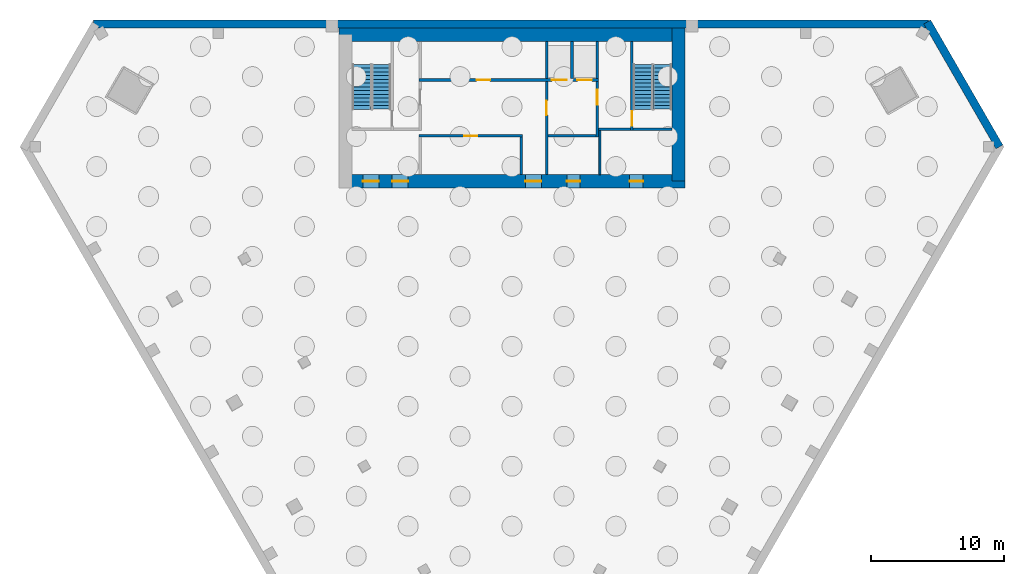
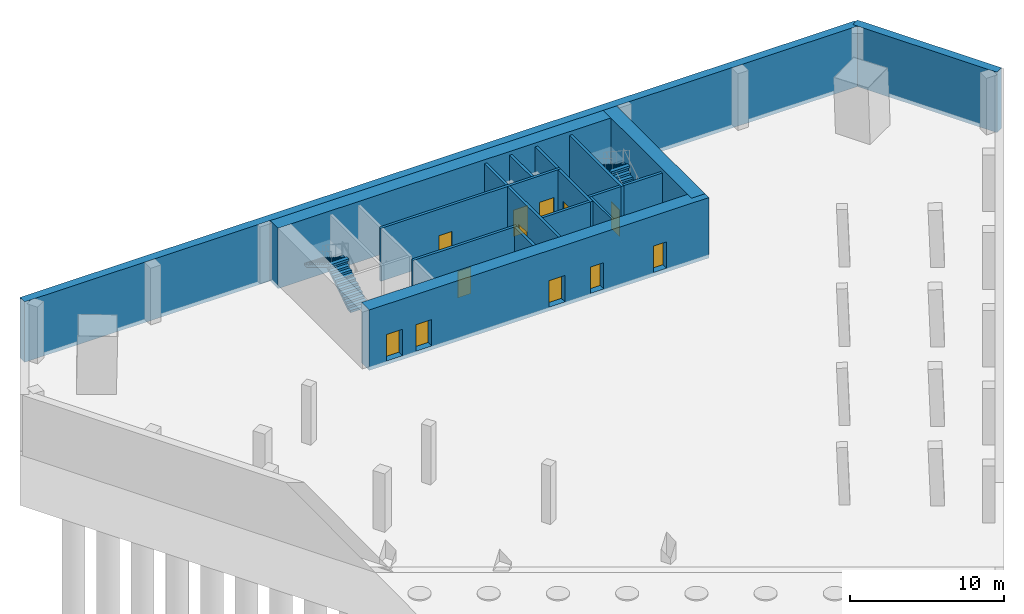
# One storey, part 3 of 5: 18 walls, 12 doors, 4 stair flights, 12 openings, 2 elements without a shape of their own.
"""IFC4 building model written with IfcOpenShell, lengths in metres."""

from ifc_helpers import new_model, si_unit, direction, frame, frame_2d, origin, place, context, subcontext, project, spatial, polyline, rectangle, outline, extrude, material, layer, layer_set, type_object, element, fill, aggregate, save


model = new_model("IFC4")

# Units and contexts
model_context = context("Model", 3, precision=1e-05, world=origin(), true_north=direction((0.0, 1.0)))
body_context = subcontext(model_context, "Body", "Model", "MODEL_VIEW")
ifc_project = project(units=[si_unit("LENGTHUNIT", "METRE"), si_unit("AREAUNIT", "SQUARE_METRE"), si_unit("VOLUMEUNIT", "CUBIC_METRE"), si_unit("PLANEANGLEUNIT", "RADIAN"), si_unit("MASSUNIT", "GRAM", prefix="KILO")], contexts=[model_context])

# Site, building, storey
site_placement = place(None, origin())
site = spatial("IfcSite", under=ifc_project, at=site_placement, CompositionType="ELEMENT")
building_placement = place(site_placement, origin())
building = spatial("IfcBuilding", under=site, at=building_placement, Name="Altiplano Prism Tower", CompositionType="ELEMENT")
storey_placement = place(building_placement, frame((0.0, 0.0, -9.0)))
storey = spatial("IfcBuildingStorey", under=building, at=storey_placement, Name="B2", CompositionType="ELEMENT", Elevation=-9.0)

# Wall, openings, doors
ifc_material_1 = material(Name="Concrete C70/85", Category="concrete")
ifc_layer_1 = layer(ifc_material_1, 1.0)
ifc_layer_set_1 = layer_set([ifc_layer_1], Name="Concrete C70/85")
wall_type_1 = type_object("IfcWallType", Name="Core wall 1000", PredefinedType="SHEAR", material=ifc_layer_set_1)
wall_1_placement = place(storey_placement, frame((72.5, 92.89990234375, -0.300048828125), z_axis=(0.0, 0.0, 1.0), x_axis=(1.0, 0.0, 0.0)))
wall_1 = element("IfcWall", 1, at=wall_1_placement, inside=storey, type_object=wall_type_1, Name="Core wall S B2", PredefinedType="SHEAR", context=body_context, shape_type="SweptSolid", body=[
    extrude(rectangle(XDim=25.5, YDim=1.0, at=frame_2d((12.75, 0.0))), origin(), (0.0, 0.0, 1.0), 4.800048828125),
])
opening_1_placement = place(wall_1_placement, frame((1.300048828125, 0.0, 0.300048828125)))
opening_1 = element("IfcOpeningElement", 2, at=opening_1_placement, cuts=wall_1, Name="Opening D2572", PredefinedType="OPENING", context=body_context, shape_type="SweptSolid", body=[
    extrude(rectangle(XDim=1.199951171875, YDim=2.10009765625, at=frame_2d((0.60009765625, 1.050048828125))), frame((0.0, 0.510498046875, 0.0), z_axis=(0.0, -1.0, 0.0), x_axis=(1.0, 0.0, 0.0)), (0.0, 0.0, 1.0), 1.02099609375),
])
opening_2_placement = place(wall_1_placement, frame((3.5, 0.0, 0.300048828125)))
opening_2 = element("IfcOpeningElement", 3, at=opening_2_placement, cuts=wall_1, Name="Opening D2573", PredefinedType="OPENING", context=body_context, shape_type="SweptSolid", body=[
    extrude(rectangle(XDim=1.199951171875, YDim=2.10009765625, at=frame_2d((0.60009765625, 1.050048828125))), frame((0.0, 0.510498046875, 0.0), z_axis=(0.0, -1.0, 0.0), x_axis=(1.0, 0.0, 0.0)), (0.0, 0.0, 1.0), 1.02099609375),
])
opening_3_placement = place(wall_1_placement, frame((13.5, 0.0, 0.300048828125)))
opening_3 = element("IfcOpeningElement", 4, at=opening_3_placement, cuts=wall_1, Name="Opening D2574", PredefinedType="OPENING", context=body_context, shape_type="SweptSolid", body=[
    extrude(rectangle(XDim=1.199951171875, YDim=2.10009765625, at=frame_2d((0.60009765625, 1.050048828125))), frame((0.0, 0.510498046875, 0.0), z_axis=(0.0, -1.0, 0.0), x_axis=(1.0, 0.0, 0.0)), (0.0, 0.0, 1.0), 1.02099609375),
])
opening_4_placement = place(wall_1_placement, frame((16.612548828125, 0.0, 0.300048828125)))
opening_4 = element("IfcOpeningElement", 5, at=opening_4_placement, cuts=wall_1, Name="Opening D2575", PredefinedType="OPENING", context=body_context, shape_type="SweptSolid", body=[
    extrude(rectangle(XDim=1.0, YDim=2.10009765625, at=frame_2d((0.5, 1.050048828125))), frame((0.0, 0.510498046875, 0.0), z_axis=(0.0, -1.0, 0.0), x_axis=(1.0, 0.0, 0.0)), (0.0, 0.0, 1.0), 1.02099609375),
])
opening_5_placement = place(wall_1_placement, frame((21.33740234375, 0.0, 0.300048828125)))
opening_5 = element("IfcOpeningElement", 6, at=opening_5_placement, cuts=wall_1, Name="Opening D2576", PredefinedType="OPENING", context=body_context, shape_type="SweptSolid", body=[
    extrude(rectangle(XDim=1.0, YDim=2.10009765625, at=frame_2d((0.5, 1.050048828125))), frame((0.0, 0.510498046875, 0.0), z_axis=(0.0, -1.0, 0.0), x_axis=(1.0, 0.0, 0.0)), (0.0, 0.0, 1.0), 1.02099609375),
])
ifc_material_2 = material(Name="Fire-rated steel door", Category="steel")
door_type_1 = type_object("IfcDoorType", Name="Core room door 1000 x 2100", OperationType="NOTDEFINED", PredefinedType="NOTDEFINED", material=ifc_material_2)
door_1_placement = place(opening_4_placement, origin())
door_1 = element("IfcDoor", 7, at=door_1_placement, inside=storey, type_object=door_type_1, Name="Core room door D2575", OperationType="SINGLE_SWING_RIGHT", OverallHeight=2.10009765625, OverallWidth=1.0, PredefinedType="NOTDEFINED", context=body_context, shape_type="SweptSolid", body=[
    extrude(rectangle(XDim=1.0, YDim=2.10009765625, at=frame_2d((0.5, 1.050048828125))), frame((0.0, 0.02490234375, 0.0), z_axis=(0.0, -1.0, 0.0), x_axis=(1.0, 0.0, 0.0)), (0.0, 0.0, 1.0), 0.050048828125),
])
fill(opening_4, door_1)
door_2_placement = place(opening_5_placement, origin())
door_2 = element("IfcDoor", 8, at=door_2_placement, inside=storey, type_object=door_type_1, Name="Core room door D2576", OperationType="SINGLE_SWING_LEFT", OverallHeight=2.10009765625, OverallWidth=1.0, PredefinedType="NOTDEFINED", context=body_context, shape_type="SweptSolid", body=[
    extrude(rectangle(XDim=1.0, YDim=2.10009765625, at=frame_2d((0.5, 1.050048828125))), frame((0.0, 0.02490234375, 0.0), z_axis=(0.0, -1.0, 0.0), x_axis=(1.0, 0.0, 0.0)), (0.0, 0.0, 1.0), 0.050048828125),
])
fill(opening_5, door_2)
door_type_2 = type_object("IfcDoorType", Name="Lobby fire door 1200 x 2100", OperationType="NOTDEFINED", PredefinedType="NOTDEFINED", material=ifc_material_2)
door_3_placement = place(opening_1_placement, origin())
door_3 = element("IfcDoor", 9, at=door_3_placement, inside=storey, type_object=door_type_2, Name="Lobby fire door D2572", OperationType="SINGLE_SWING_RIGHT", OverallHeight=2.10009765625, OverallWidth=1.199951171875, PredefinedType="NOTDEFINED", context=body_context, shape_type="SweptSolid", body=[
    extrude(rectangle(XDim=1.199951171875, YDim=2.10009765625, at=frame_2d((0.60009765625, 1.050048828125))), frame((0.0, 0.02490234375, 0.0), z_axis=(0.0, -1.0, 0.0), x_axis=(1.0, 0.0, 0.0)), (0.0, 0.0, 1.0), 0.050048828125),
])
fill(opening_1, door_3)
door_4_placement = place(opening_2_placement, origin())
door_4 = element("IfcDoor", 10, at=door_4_placement, inside=storey, type_object=door_type_2, Name="Lobby fire door D2573", OperationType="SINGLE_SWING_LEFT", OverallHeight=2.10009765625, OverallWidth=1.199951171875, PredefinedType="NOTDEFINED", context=body_context, shape_type="SweptSolid", body=[
    extrude(rectangle(XDim=1.199951171875, YDim=2.10009765625, at=frame_2d((0.60009765625, 1.050048828125))), frame((0.0, 0.02490234375, 0.0), z_axis=(0.0, -1.0, 0.0), x_axis=(1.0, 0.0, 0.0)), (0.0, 0.0, 1.0), 0.050048828125),
])
fill(opening_2, door_4)
door_5_placement = place(opening_3_placement, origin())
door_5 = element("IfcDoor", 11, at=door_5_placement, inside=storey, type_object=door_type_2, Name="Lobby fire door D2574", OperationType="SINGLE_SWING_RIGHT", OverallHeight=2.10009765625, OverallWidth=1.199951171875, PredefinedType="NOTDEFINED", context=body_context, shape_type="SweptSolid", body=[
    extrude(rectangle(XDim=1.199951171875, YDim=2.10009765625, at=frame_2d((0.60009765625, 1.050048828125))), frame((0.0, 0.02490234375, 0.0), z_axis=(0.0, -1.0, 0.0), x_axis=(1.0, 0.0, 0.0)), (0.0, 0.0, 1.0), 0.050048828125),
])
fill(opening_3, door_5)

# Walls
wall_2_placement = place(storey_placement, frame((97.5, 92.89990234375, -0.300048828125), z_axis=(0.0, 0.0, 1.0), x_axis=(0.0, 1.0, 0.0)))
element("IfcWall", 12, at=wall_2_placement, inside=storey, type_object=wall_type_1, Name="Core wall E B2", PredefinedType="SHEAR", context=body_context, shape_type="SweptSolid", body=[
    extrude(rectangle(XDim=11.5, YDim=1.0, at=frame_2d((5.75, 0.0))), origin(), (0.0, 0.0, 1.0), 4.800048828125),
])
wall_3_placement = place(storey_placement, frame((97.5, 103.89990234375, -0.300048828125), z_axis=(0.0, 0.0, 1.0), x_axis=(-1.0, 0.0, 0.0)))
element("IfcWall", 13, at=wall_3_placement, inside=storey, type_object=wall_type_1, Name="Core wall N B2", PredefinedType="SHEAR", context=body_context, shape_type="SweptSolid", body=[
    extrude(rectangle(XDim=25.5, YDim=1.0, at=frame_2d((12.75, 0.0))), origin(), (0.0, 0.0, 1.0), 4.800048828125),
])
ifc_material_3 = material(Name="Concrete C40/50", Category="concrete")
ifc_layer_2 = layer(ifc_material_3, 0.60009765625)
ifc_layer_set_2 = layer_set([ifc_layer_2], Name="Concrete C40/50")
wall_type_2 = type_object("IfcWallType", Name="Retaining wall 600", PredefinedType="SOLIDWALL", material=ifc_layer_set_2)
wall_4_placement = place(storey_placement, frame((116.261962890625, 104.699951171875, -0.300048828125), z_axis=(0.0, 0.0, 1.0), x_axis=(-1.0, 0.0, 0.0)))
element("IfcWall", 14, at=wall_4_placement, inside=storey, type_object=wall_type_2, Name="Retaining wall B2 1", PredefinedType="SOLIDWALL", context=body_context, shape_type="SweptSolid", body=[
    extrude(rectangle(XDim=62.697265625, YDim=0.60009765625, at=frame_2d((31.3486328125, 0.0))), origin(), (0.0, 0.0, 1.0), 4.800048828125),
])
wall_5_placement = place(storey_placement, frame((121.5888671875, 95.4736328125, -0.300048828125), z_axis=(0.0, 0.0, 1.0), x_axis=(-0.49998791733, 0.866032379605, 0.0)))
element("IfcWall", 15, at=wall_5_placement, inside=storey, type_object=wall_type_2, Name="Retaining wall B2 6", PredefinedType="SOLIDWALL", context=body_context, shape_type="SweptSolid", body=[
    extrude(rectangle(XDim=10.826904296875, YDim=0.60009765625, at=frame_2d((5.41357421875, 0.0))), origin(), (0.0, 0.0, 1.0), 4.800048828125),
])
ifc_material_4 = material(Name="Fire-rated gypsum board partition")
ifc_layer_3 = layer(ifc_material_4, 0.14990234375)
ifc_layer_set_3 = layer_set([ifc_layer_3], Name="Fire-rated gypsum board partition")
wall_type_3 = type_object("IfcWallType", Name="Room partition 150", PredefinedType="PARTITIONING", material=ifc_layer_set_3)
wall_6_placement = place(storey_placement, frame((91.60009765625, 93.39990234375, 0.0), z_axis=(0.0, 0.0, 1.0), x_axis=(0.0, 1.0, 0.0)))
element("IfcWall", 16, at=wall_6_placement, inside=storey, type_object=wall_type_3, Name="Room partition B2", PredefinedType="PARTITIONING", context=body_context, shape_type="SweptSolid", body=[
    extrude(rectangle(XDim=3.300048828125, YDim=0.14990234375, at=frame_2d((1.64990234375, 0.0))), origin(), (0.0, 0.0, 1.0), 4.199951171875),
])

# Wall, openings, doors
ifc_material_5 = material(Name="Concrete C60/75", Category="concrete")
ifc_layer_4 = layer(ifc_material_5, 0.199951171875)
ifc_layer_set_4 = layer_set([ifc_layer_4], Name="Concrete C60/75")
wall_type_4 = type_object("IfcWallType", Name="Shaft wall 200", PredefinedType="SOLIDWALL", material=ifc_layer_set_4)
wall_7_placement = place(storey_placement, frame((78.0, 100.5, 0.0), z_axis=(0.0, 0.0, 1.0), x_axis=(1.0, 0.0, 0.0)))
wall_7 = element("IfcWall", 17, at=wall_7_placement, inside=storey, type_object=wall_type_4, Name="Shaft wall B2", PredefinedType="SOLIDWALL", context=body_context, shape_type="SweptSolid", body=[
    extrude(rectangle(XDim=13.5, YDim=0.199951171875, at=frame_2d((6.75, 0.0))), origin(), (0.0, 0.0, 1.0), 4.199951171875),
])
opening_6_placement = place(wall_7_placement, frame((10.0, 0.0, 0.0)))
opening_6 = element("IfcOpeningElement", 18, at=opening_6_placement, cuts=wall_7, Name="Opening LD-FF1-B2", PredefinedType="OPENING", context=body_context, shape_type="SweptSolid", body=[
    extrude(rectangle(XDim=1.10009765625, YDim=2.10009765625, at=frame_2d((0.550048828125, 1.050048828125))), frame((0.0, 0.1103515625, 0.0), z_axis=(0.0, -1.0, 0.0), x_axis=(1.0, 0.0, 0.0)), (0.0, 0.0, 1.0), 0.220947265625),
])
opening_7_placement = place(wall_7_placement, frame((11.89990234375, 0.0, 0.0)))
opening_7 = element("IfcOpeningElement", 19, at=opening_7_placement, cuts=wall_7, Name="Opening LD-FF2-B2", PredefinedType="OPENING", context=body_context, shape_type="SweptSolid", body=[
    extrude(rectangle(XDim=1.10009765625, YDim=2.10009765625, at=frame_2d((0.550048828125, 1.050048828125))), frame((0.0, 0.1103515625, 0.0), z_axis=(0.0, -1.0, 0.0), x_axis=(1.0, 0.0, 0.0)), (0.0, 0.0, 1.0), 0.220947265625),
])
opening_8_placement = place(wall_7_placement, frame((4.35009765625, 0.0, 0.0)))
opening_8 = element("IfcOpeningElement", 20, at=opening_8_placement, cuts=wall_7, Name="Opening D2577", PredefinedType="OPENING", context=body_context, shape_type="SweptSolid", body=[
    extrude(rectangle(XDim=1.0, YDim=2.10009765625, at=frame_2d((0.5, 1.050048828125))), frame((0.0, 0.1103515625, 0.0), z_axis=(0.0, -1.0, 0.0), x_axis=(1.0, 0.0, 0.0)), (0.0, 0.0, 1.0), 0.220947265625),
])
door_6_placement = place(opening_8_placement, origin())
door_6 = element("IfcDoor", 21, at=door_6_placement, inside=storey, type_object=door_type_1, Name="Core room door D2577", OperationType="SINGLE_SWING_LEFT", OverallHeight=2.10009765625, OverallWidth=1.0, PredefinedType="NOTDEFINED", context=body_context, shape_type="SweptSolid", body=[
    extrude(rectangle(XDim=1.0, YDim=2.10009765625, at=frame_2d((0.5, 1.050048828125))), frame((0.0, 0.02490234375, 0.0), z_axis=(0.0, -1.0, 0.0), x_axis=(1.0, 0.0, 0.0)), (0.0, 0.0, 1.0), 0.050048828125),
])
fill(opening_8, door_6)
ifc_material_6 = material(Name="Stainless steel landing door", Category="steel")
door_type_3 = type_object("IfcDoorType", Name="Landing door 1100 x 2100", OperationType="NOTDEFINED", PredefinedType="NOTDEFINED", material=ifc_material_6)
door_7_placement = place(opening_6_placement, origin())
door_7 = element("IfcDoor", 22, at=door_7_placement, inside=storey, type_object=door_type_3, Name="Landing doors FF1", OperationType="SLIDING_TO_RIGHT", OverallHeight=2.10009765625, OverallWidth=1.10009765625, PredefinedType="NOTDEFINED", context=body_context, shape_type="SweptSolid", body=[
    extrude(rectangle(XDim=1.10009765625, YDim=2.10009765625, at=frame_2d((0.550048828125, 1.050048828125))), frame((0.0, 0.02490234375, 0.0), z_axis=(0.0, -1.0, 0.0), x_axis=(1.0, 0.0, 0.0)), (0.0, 0.0, 1.0), 0.050048828125),
])
fill(opening_6, door_7)
door_8_placement = place(opening_7_placement, origin())
door_8 = element("IfcDoor", 23, at=door_8_placement, inside=storey, type_object=door_type_3, Name="Landing doors FF2", OperationType="SLIDING_TO_LEFT", OverallHeight=2.10009765625, OverallWidth=1.10009765625, PredefinedType="NOTDEFINED", context=body_context, shape_type="SweptSolid", body=[
    extrude(rectangle(XDim=1.10009765625, YDim=2.10009765625, at=frame_2d((0.550048828125, 1.050048828125))), frame((0.0, 0.02490234375, 0.0), z_axis=(0.0, -1.0, 0.0), x_axis=(1.0, 0.0, 0.0)), (0.0, 0.0, 1.0), 0.050048828125),
])
fill(opening_7, door_8)

# Walls
for number, where, z_axis, x_axis, name in (
    (24, (87.60009765625, 100.60009765625, 0.0), (0.0, 0.0, 1.0), (0.0, 1.0, 0.0), "Shaft wall B2"),
    (25, (89.5, 100.60009765625, 0.0), (0.0, 0.0, 1.0), (0.0, 1.0, 0.0), "Shaft wall B2"),
    (26, (91.39990234375, 100.60009765625, 0.0), (0.0, 0.0, 1.0), (0.0, 1.0, 0.0), "Shaft wall B2"),
):
    element("IfcWall", number, at=place(storey_placement, frame(where, z_axis=z_axis, x_axis=x_axis)), inside=storey, type_object=wall_type_4, Name=name, PredefinedType="SOLIDWALL", context=body_context, shape_type="SweptSolid", body=[
        extrude(rectangle(XDim=2.7998046875, YDim=0.199951171875, at=frame_2d((1.39990234375, 0.0))), origin(), (0.0, 0.0, 1.0), 4.199951171875),
    ])

# Wall, opening, door
ifc_layer_5 = layer(ifc_material_5, 0.199951171875)
ifc_layer_set_5 = layer_set([ifc_layer_5], Name="Concrete C60/75")
wall_type_5 = type_object("IfcWallType", Name="Stair wall 200", PredefinedType="SOLIDWALL", material=ifc_layer_set_5)
wall_8_placement = place(storey_placement, frame((94.0, 96.699951171875, 0.0), z_axis=(0.0, 0.0, 1.0), x_axis=(0.0, 1.0, 0.0)))
wall_8 = element("IfcWall", 27, at=wall_8_placement, inside=storey, type_object=wall_type_5, Name="Stair wall B2", PredefinedType="SOLIDWALL", context=body_context, shape_type="SweptSolid", body=[
    extrude(rectangle(XDim=6.699951171875, YDim=0.199951171875, at=frame_2d((3.35009765625, 0.0))), origin(), (0.0, 0.0, 1.0), 4.199951171875),
])
opening_9_placement = place(wall_8_placement, frame((0.35009765625, 0.0, 0.0)))
opening_9 = element("IfcOpeningElement", 28, at=opening_9_placement, cuts=wall_8, Name="Opening D2568", PredefinedType="OPENING", context=body_context, shape_type="SweptSolid", body=[
    extrude(rectangle(XDim=1.10009765625, YDim=2.10009765625, at=frame_2d((0.550048828125, 1.050048828125))), frame((0.0, 0.1103515625, 0.0), z_axis=(0.0, -1.0, 0.0), x_axis=(1.0, 0.0, 0.0)), (0.0, 0.0, 1.0), 0.220947265625),
])
door_type_4 = type_object("IfcDoorType", Name="Stair fire door 1100 x 2100", OperationType="NOTDEFINED", PredefinedType="NOTDEFINED", material=ifc_material_2)
door_9_placement = place(opening_9_placement, origin())
door_9 = element("IfcDoor", 29, at=door_9_placement, inside=storey, type_object=door_type_4, Name="Stair fire door D2568", OperationType="SINGLE_SWING_LEFT", OverallHeight=2.10009765625, OverallWidth=1.10009765625, PredefinedType="NOTDEFINED", context=body_context, shape_type="SweptSolid", body=[
    extrude(rectangle(XDim=1.10009765625, YDim=2.10009765625, at=frame_2d((0.550048828125, 1.050048828125))), frame((0.0, 0.02490234375, 0.0), z_axis=(0.0, -1.0, 0.0), x_axis=(1.0, 0.0, 0.0)), (0.0, 0.0, 1.0), 0.050048828125),
])
fill(opening_9, door_9)

# Walls
wall_9_placement = place(storey_placement, frame((94.10009765625, 96.800048828125, 0.0), z_axis=(0.0, 0.0, 1.0), x_axis=(1.0, 0.0, 0.0)))
element("IfcWall", 30, at=wall_9_placement, inside=storey, type_object=wall_type_5, Name="Stair wall B2", PredefinedType="SOLIDWALL", context=body_context, shape_type="SweptSolid", body=[
    extrude(rectangle(XDim=2.89990234375, YDim=0.199951171875, at=frame_2d((1.449951171875, 0.0))), origin(), (0.0, 0.0, 1.0), 4.199951171875),
])
ifc_layer_6 = layer(ifc_material_5, 0.199951171875)
ifc_layer_set_6 = layer_set([ifc_layer_6], Name="Concrete C60/75")
wall_type_6 = type_object("IfcWallType", Name="Vestibule wall 200", PredefinedType="PARTITIONING", material=ifc_layer_set_6)
wall_10_placement = place(storey_placement, frame((85.699951171875, 93.39990234375, 0.0), z_axis=(0.0, 0.0, 1.0), x_axis=(0.0, 1.0, 0.0)))
element("IfcWall", 31, at=wall_10_placement, inside=storey, type_object=wall_type_6, Name="Vestibule wall B2", PredefinedType="PARTITIONING", context=body_context, shape_type="SweptSolid", body=[
    extrude(rectangle(XDim=2.800048828125, YDim=0.199951171875, at=frame_2d((1.39990234375, 0.0))), origin(), (0.0, 0.0, 1.0), 4.199951171875),
])

# Wall, opening, door
wall_11_placement = place(storey_placement, frame((87.60009765625, 93.39990234375, 0.0), z_axis=(0.0, 0.0, 1.0), x_axis=(0.0, 1.0, 0.0)))
wall_11 = element("IfcWall", 32, at=wall_11_placement, inside=storey, type_object=wall_type_6, Name="Vestibule wall B2", PredefinedType="PARTITIONING", context=body_context, shape_type="SweptSolid", body=[
    extrude(rectangle(XDim=7.0, YDim=0.199951171875, at=frame_2d((3.5, 0.0))), origin(), (0.0, 0.0, 1.0), 4.199951171875),
])
opening_10_placement = place(wall_11_placement, frame((4.449951171875, 0.0, 0.0)))
opening_10 = element("IfcOpeningElement", 33, at=opening_10_placement, cuts=wall_11, Name="Opening D2570", PredefinedType="OPENING", context=body_context, shape_type="SweptSolid", body=[
    extrude(rectangle(XDim=1.10009765625, YDim=2.10009765625, at=frame_2d((0.550048828125, 1.050048828125))), frame((0.0, 0.1103515625, 0.0), z_axis=(0.0, -1.0, 0.0), x_axis=(1.0, 0.0, 0.0)), (0.0, 0.0, 1.0), 0.220947265625),
])
door_type_5 = type_object("IfcDoorType", Name="Vestibule fire door 1100 x 2100", OperationType="NOTDEFINED", PredefinedType="NOTDEFINED", material=ifc_material_2)
door_10_placement = place(opening_10_placement, origin())
door_10 = element("IfcDoor", 34, at=door_10_placement, inside=storey, type_object=door_type_5, Name="Vestibule fire door D2570", OperationType="SINGLE_SWING_RIGHT", OverallHeight=2.10009765625, OverallWidth=1.10009765625, PredefinedType="NOTDEFINED", context=body_context, shape_type="SweptSolid", body=[
    extrude(rectangle(XDim=1.10009765625, YDim=2.10009765625, at=frame_2d((0.550048828125, 1.050048828125))), frame((0.0, 0.02490234375, 0.0), z_axis=(0.0, -1.0, 0.0), x_axis=(1.0, 0.0, 0.0)), (0.0, 0.0, 1.0), 0.050048828125),
])
fill(opening_10, door_10)

wall_12_placement = place(storey_placement, frame((78.0, 96.300048828125, 0.0), z_axis=(0.0, 0.0, 1.0), x_axis=(1.0, 0.0, 0.0)))
wall_12 = element("IfcWall", 35, at=wall_12_placement, inside=storey, type_object=wall_type_6, Name="Vestibule wall B2", PredefinedType="PARTITIONING", context=body_context, shape_type="SweptSolid", body=[
    extrude(rectangle(XDim=7.800048828125, YDim=0.199951171875, at=frame_2d((3.89990234375, 0.0))), origin(), (0.0, 0.0, 1.0), 4.199951171875),
])
opening_11_placement = place(wall_12_placement, frame((3.39990234375, 0.0, 0.0)))
opening_11 = element("IfcOpeningElement", 36, at=opening_11_placement, cuts=wall_12, Name="Opening D2578", PredefinedType="OPENING", context=body_context, shape_type="SweptSolid", body=[
    extrude(rectangle(XDim=1.0, YDim=2.10009765625, at=frame_2d((0.5, 1.050048828125))), frame((0.0, 0.1103515625, 0.0), z_axis=(0.0, -1.0, 0.0), x_axis=(1.0, 0.0, 0.0)), (0.0, 0.0, 1.0), 0.220947265625),
])
door_11_placement = place(opening_11_placement, origin())
door_11 = element("IfcDoor", 37, at=door_11_placement, inside=storey, type_object=door_type_1, Name="Core room door D2578", OperationType="SINGLE_SWING_RIGHT", OverallHeight=2.10009765625, OverallWidth=1.0, PredefinedType="NOTDEFINED", context=body_context, shape_type="SweptSolid", body=[
    extrude(rectangle(XDim=1.0, YDim=2.10009765625, at=frame_2d((0.5, 1.050048828125))), frame((0.0, 0.02490234375, 0.0), z_axis=(0.0, -1.0, 0.0), x_axis=(1.0, 0.0, 0.0)), (0.0, 0.0, 1.0), 0.050048828125),
])
fill(opening_11, door_11)

# Wall
wall_13_placement = place(storey_placement, frame((87.699951171875, 96.300048828125, 0.0), z_axis=(0.0, 0.0, 1.0), x_axis=(1.0, 0.0, 0.0)))
element("IfcWall", 38, at=wall_13_placement, inside=storey, type_object=wall_type_6, Name="Vestibule wall B2", PredefinedType="PARTITIONING", context=body_context, shape_type="SweptSolid", body=[
    extrude(rectangle(XDim=3.60009765625, YDim=0.199951171875, at=frame_2d((1.800048828125, 0.0))), origin(), (0.0, 0.0, 1.0), 4.199951171875),
])

# Wall, opening, door
wall_14_placement = place(storey_placement, frame((91.39990234375, 96.199951171875, 0.0), z_axis=(0.0, 0.0, 1.0), x_axis=(0.0, 1.0, 0.0)))
wall_14 = element("IfcWall", 39, at=wall_14_placement, inside=storey, type_object=wall_type_6, Name="Vestibule wall B2", PredefinedType="PARTITIONING", context=body_context, shape_type="SweptSolid", body=[
    extrude(rectangle(XDim=4.199951171875, YDim=0.199951171875, at=frame_2d((2.10009765625, 0.0))), origin(), (0.0, 0.0, 1.0), 4.199951171875),
])
opening_12_placement = place(wall_14_placement, frame((2.449951171875, 0.0, 0.0)))
opening_12 = element("IfcOpeningElement", 40, at=opening_12_placement, cuts=wall_14, Name="Opening D2571", PredefinedType="OPENING", context=body_context, shape_type="SweptSolid", body=[
    extrude(rectangle(XDim=1.10009765625, YDim=2.10009765625, at=frame_2d((0.550048828125, 1.050048828125))), frame((0.0, 0.1103515625, 0.0), z_axis=(0.0, -1.0, 0.0), x_axis=(1.0, 0.0, 0.0)), (0.0, 0.0, 1.0), 0.220947265625),
])
door_12_placement = place(opening_12_placement, origin())
door_12 = element("IfcDoor", 41, at=door_12_placement, inside=storey, type_object=door_type_5, Name="Vestibule fire door D2571", OperationType="SINGLE_SWING_LEFT", OverallHeight=2.10009765625, OverallWidth=1.10009765625, PredefinedType="NOTDEFINED", context=body_context, shape_type="SweptSolid", body=[
    extrude(rectangle(XDim=1.10009765625, YDim=2.10009765625, at=frame_2d((0.550048828125, 1.050048828125))), frame((0.0, 0.02490234375, 0.0), z_axis=(0.0, -1.0, 0.0), x_axis=(1.0, 0.0, 0.0)), (0.0, 0.0, 1.0), 0.050048828125),
])
fill(opening_12, door_12)

# Wall
wall_15_placement = place(storey_placement, frame((91.5, 96.800048828125, 0.0), z_axis=(0.0, 0.0, 1.0), x_axis=(1.0, 0.0, 0.0)))
element("IfcWall", 42, at=wall_15_placement, inside=storey, type_object=wall_type_6, Name="Vestibule wall B2", PredefinedType="PARTITIONING", context=body_context, shape_type="SweptSolid", body=[
    extrude(rectangle(XDim=2.39990234375, YDim=0.199951171875, at=frame_2d((1.199951171875, 0.0))), origin(), (0.0, 0.0, 1.0), 4.199951171875),
])

# Stair, stair flights
stair_type = type_object("IfcStairType", Name="Exit stair 1400", PredefinedType="HALF_TURN_STAIR", material=ifc_material_3)
stair_1_placement = place(storey_placement, origin())
stair_1 = element("IfcStair", 43, at=stair_1_placement, inside=storey, type_object=stair_type, Name="B2 Exit Stair 1", PredefinedType="HALF_TURN_STAIR")
stair_flight_type = type_object("IfcStairFlightType", Name="Stair flight concrete 150", PredefinedType="STRAIGHT", material=ifc_material_3)
stair_flight_1_placement = place(storey_placement, frame((75.199951171875, 98.300048828125, 0.0), z_axis=(0.0, 0.0, 1.0), x_axis=(0.0, 1.0, 0.0)))
stair_flight_1 = element("IfcStairFlight", 44, at=stair_flight_1_placement, type_object=stair_flight_type, Name="ST1 flight 1", NumberOfRisers=13, NumberOfTreads=12, PredefinedType="STRAIGHT", RiserHeight=0.173076923, TreadLength=0.28, context=body_context, shape_type="SweptSolid", body=[
    extrude(outline(polyline([(0.0, 0.0), (0.0, 0.173095703125), (0.280029296875, 0.173095703125), (0.280029296875, 0.34619140625), (0.56005859375, 0.34619140625), (0.56005859375, 0.519287109375), (0.840087890625, 0.519287109375), (0.840087890625, 0.6923828125), (1.1201171875, 0.6923828125), (1.1201171875, 0.865478515625), (1.39990234375, 0.865478515625), (1.39990234375, 1.03857421875), (1.679931640625, 1.03857421875), (1.679931640625, 1.21142578125), (1.9599609375, 1.21142578125), (1.9599609375, 1.384521484375), (2.239990234375, 1.384521484375), (2.239990234375, 1.5576171875), (2.52001953125, 1.5576171875), (2.52001953125, 1.730712890625), (2.800048828125, 1.730712890625), (2.800048828125, 1.90380859375), (3.080078125, 1.90380859375), (3.080078125, 2.076904296875), (3.360107421875, 2.076904296875), (3.360107421875, 2.25), (3.360107421875, 1.900634765625), (0.28515625, 0.0), (0.0, 0.0)])), frame((0.0, 0.699951171875, 0.0), z_axis=(0.0, -1.0, 0.0), x_axis=(1.0, 0.0, 0.0)), (0.0, 0.0, 1.0), 1.39990234375),
])
stair_flight_2_placement = place(storey_placement, frame((73.699951171875, 101.659912109375, 2.25), z_axis=(0.0, 0.0, 1.0), x_axis=(0.0, -1.0, 0.0)))
stair_flight_2 = element("IfcStairFlight", 45, at=stair_flight_2_placement, type_object=stair_flight_type, Name="ST1 flight 2", NumberOfRisers=13, NumberOfTreads=12, PredefinedType="STRAIGHT", RiserHeight=0.173076923, TreadLength=0.28, context=body_context, shape_type="SweptSolid", body=[
    extrude(outline(polyline([(0.0, 0.0), (0.0, 0.173095703125), (0.280029296875, 0.173095703125), (0.280029296875, 0.34619140625), (0.56005859375, 0.34619140625), (0.56005859375, 0.519287109375), (0.840087890625, 0.519287109375), (0.840087890625, 0.6923828125), (1.1201171875, 0.6923828125), (1.1201171875, 0.865478515625), (1.39990234375, 0.865478515625), (1.39990234375, 1.03857421875), (1.679931640625, 1.03857421875), (1.679931640625, 1.21142578125), (1.9599609375, 1.21142578125), (1.9599609375, 1.384521484375), (2.239990234375, 1.384521484375), (2.239990234375, 1.5576171875), (2.52001953125, 1.5576171875), (2.52001953125, 1.730712890625), (2.800048828125, 1.730712890625), (2.800048828125, 1.90380859375), (3.080078125, 1.90380859375), (3.080078125, 2.076904296875), (3.360107421875, 2.076904296875), (3.360107421875, 2.25), (3.360107421875, 1.900634765625), (0.28515625, 0.0), (0.0, 0.0)])), frame((0.0, 0.699951171875, 0.0), z_axis=(0.0, -1.0, 0.0), x_axis=(1.0, 0.0, 0.0)), (0.0, 0.0, 1.0), 1.39990234375),
])
aggregate(stair_1, [stair_flight_1, stair_flight_2])

stair_2_placement = place(storey_placement, origin())
stair_2 = element("IfcStair", 46, at=stair_2_placement, inside=storey, type_object=stair_type, Name="B2 Exit Stair 2", PredefinedType="HALF_TURN_STAIR")
stair_flight_3_placement = place(storey_placement, frame((96.300048828125, 98.300048828125, 0.0), z_axis=(0.0, 0.0, 1.0), x_axis=(0.0, 1.0, 0.0)))
stair_flight_3 = element("IfcStairFlight", 47, at=stair_flight_3_placement, type_object=stair_flight_type, Name="ST2 flight 1", NumberOfRisers=13, NumberOfTreads=12, PredefinedType="STRAIGHT", RiserHeight=0.173076923, TreadLength=0.28, context=body_context, shape_type="SweptSolid", body=[
    extrude(outline(polyline([(0.0, 0.0), (0.0, 0.173095703125), (0.280029296875, 0.173095703125), (0.280029296875, 0.34619140625), (0.56005859375, 0.34619140625), (0.56005859375, 0.519287109375), (0.840087890625, 0.519287109375), (0.840087890625, 0.6923828125), (1.1201171875, 0.6923828125), (1.1201171875, 0.865478515625), (1.39990234375, 0.865478515625), (1.39990234375, 1.03857421875), (1.679931640625, 1.03857421875), (1.679931640625, 1.21142578125), (1.9599609375, 1.21142578125), (1.9599609375, 1.384521484375), (2.239990234375, 1.384521484375), (2.239990234375, 1.5576171875), (2.52001953125, 1.5576171875), (2.52001953125, 1.730712890625), (2.800048828125, 1.730712890625), (2.800048828125, 1.90380859375), (3.080078125, 1.90380859375), (3.080078125, 2.076904296875), (3.360107421875, 2.076904296875), (3.360107421875, 2.25), (3.360107421875, 1.900634765625), (0.28515625, 0.0), (0.0, 0.0)])), frame((0.0, 0.699951171875, 0.0), z_axis=(0.0, -1.0, 0.0), x_axis=(1.0, 0.0, 0.0)), (0.0, 0.0, 1.0), 1.39990234375),
])
stair_flight_4_placement = place(storey_placement, frame((94.800048828125, 101.659912109375, 2.25), z_axis=(0.0, 0.0, 1.0), x_axis=(0.0, -1.0, 0.0)))
stair_flight_4 = element("IfcStairFlight", 48, at=stair_flight_4_placement, type_object=stair_flight_type, Name="ST2 flight 2", NumberOfRisers=13, NumberOfTreads=12, PredefinedType="STRAIGHT", RiserHeight=0.173076923, TreadLength=0.28, context=body_context, shape_type="SweptSolid", body=[
    extrude(outline(polyline([(0.0, 0.0), (0.0, 0.173095703125), (0.280029296875, 0.173095703125), (0.280029296875, 0.34619140625), (0.56005859375, 0.34619140625), (0.56005859375, 0.519287109375), (0.840087890625, 0.519287109375), (0.840087890625, 0.6923828125), (1.1201171875, 0.6923828125), (1.1201171875, 0.865478515625), (1.39990234375, 0.865478515625), (1.39990234375, 1.03857421875), (1.679931640625, 1.03857421875), (1.679931640625, 1.21142578125), (1.9599609375, 1.21142578125), (1.9599609375, 1.384521484375), (2.239990234375, 1.384521484375), (2.239990234375, 1.5576171875), (2.52001953125, 1.5576171875), (2.52001953125, 1.730712890625), (2.800048828125, 1.730712890625), (2.800048828125, 1.90380859375), (3.080078125, 1.90380859375), (3.080078125, 2.076904296875), (3.360107421875, 2.076904296875), (3.360107421875, 2.25), (3.360107421875, 1.900634765625), (0.28515625, 0.0), (0.0, 0.0)])), frame((0.0, 0.699951171875, 0.0), z_axis=(0.0, -1.0, 0.0), x_axis=(1.0, 0.0, 0.0)), (0.0, 0.0, 1.0), 1.39990234375),
])
aggregate(stair_2, [stair_flight_3, stair_flight_4])

save(model, "model.ifc")
